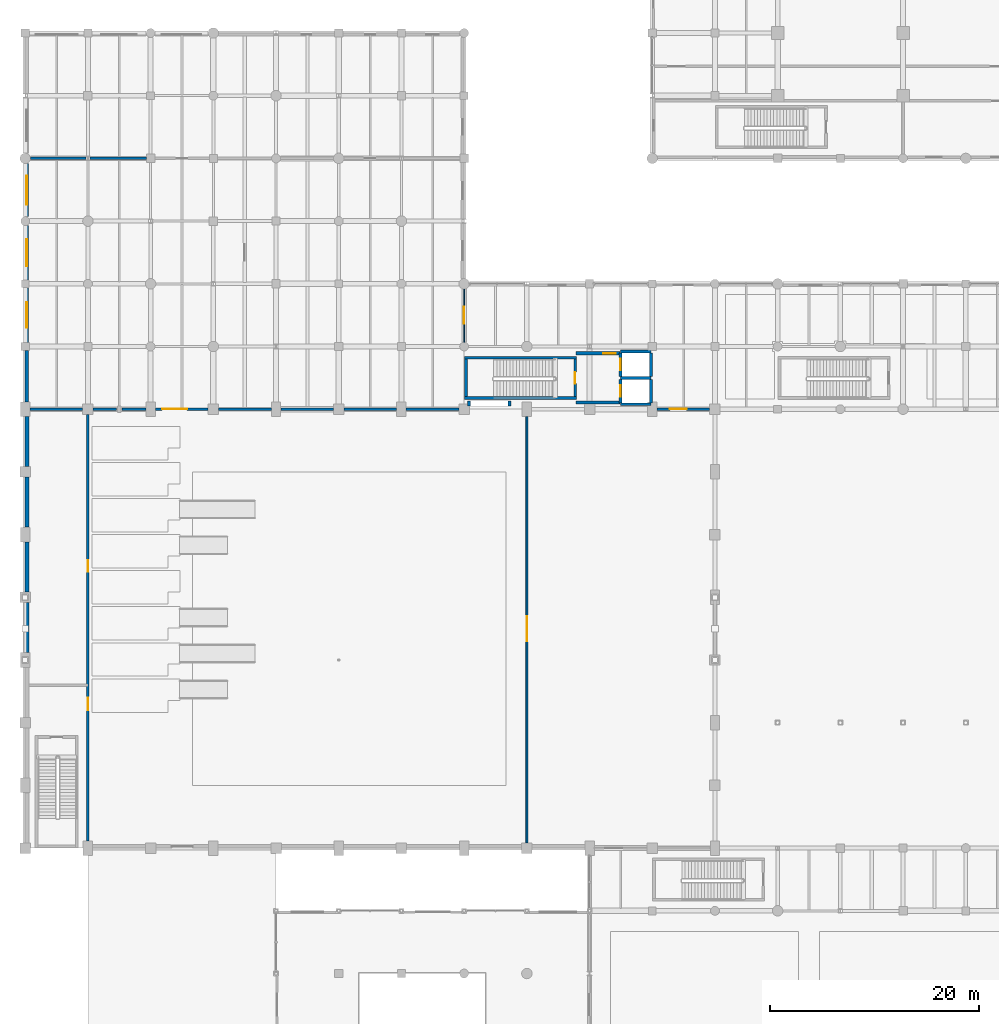
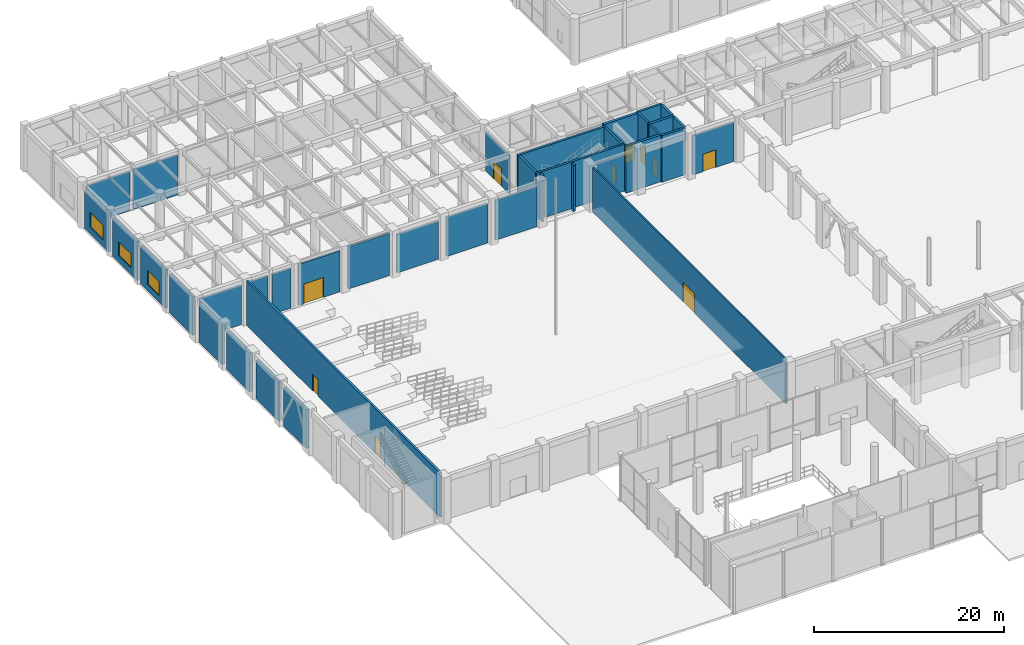
# One storey, part 81 of 106: 37 walls, 10 doors, 3 windows, 13 openings.
"""IFC4 building model written with IfcOpenShell, lengths in metres."""

from ifc_helpers import new_model, si_unit, direction, frame, frame_2d, origin, place, context, subcontext, project, spatial, rectangle, extrude, material, layer, layer_set, type_object, element, fill, save


model = new_model("IFC4")

# Units and contexts
model_context = context("Model", 3, precision=1e-05, world=origin(), true_north=direction((0.0, 1.0)))
body_context = subcontext(model_context, "Body", "Model", "MODEL_VIEW")
ifc_project = project(units=[si_unit("LENGTHUNIT", "METRE"), si_unit("AREAUNIT", "SQUARE_METRE"), si_unit("VOLUMEUNIT", "CUBIC_METRE"), si_unit("PLANEANGLEUNIT", "RADIAN"), si_unit("MASSUNIT", "GRAM", prefix="KILO"), si_unit("THERMODYNAMICTEMPERATUREUNIT", "KELVIN"), si_unit("POWERUNIT", "WATT")], contexts=[model_context])

# Site, building, storey
site_placement = place(None, origin())
site = spatial("IfcSite", under=ifc_project, at=site_placement, CompositionType="ELEMENT")
building_placement = place(site_placement, origin())
building = spatial("IfcBuilding", under=site, at=building_placement, Name="Phaisarnlok Congress Hotel", CompositionType="ELEMENT")
storey_placement = place(building_placement, origin())
storey = spatial("IfcBuildingStorey", under=building, at=storey_placement, Name="L00", CompositionType="ELEMENT", Elevation=0.0)

# Wall, opening, window
ifc_material_1 = material(Name="Concrete C40/50", Category="concrete")
ifc_layer_1 = layer(ifc_material_1, 0.2900390625, Name="Concrete C40/50")
ifc_layer_set_1 = layer_set([ifc_layer_1], Name="Concrete C40/50")
wall_type_1 = type_object("IfcWallType", Name="WL-EXT-290", PredefinedType="SOLIDWALL", material=ifc_layer_set_1)
wall_1_placement = place(storey_placement, frame((0.14501953125, 107.4951171875, 0.0), z_axis=(0.0, 0.0, 1.0), x_axis=(0.0, -1.0, 0.0)))
wall_1 = element("IfcWall", 1, at=wall_1_placement, inside=storey, type_object=wall_type_1, Name="Exterior wall EW-03 (L00)", PredefinedType="SOLIDWALL", context=body_context, shape_type="SweptSolid", body=[
    extrude(rectangle(XDim=5.065185546875, YDim=0.2900390625, at=frame_2d((2.53271484375, 0.0))), origin(), (0.0, 0.0, 1.0), 4.989990234375),
])
opening_1_placement = place(wall_1_placement, frame((1.132080078125, 0.0, 0.85009765625)))
opening_1 = element("IfcOpeningElement", 2, at=opening_1_placement, cuts=wall_1, Name="Opening W-06", PredefinedType="OPENING", context=body_context, shape_type="SweptSolid", body=[
    extrude(rectangle(XDim=2.800048828125, YDim=1.89990234375, at=frame_2d((1.39990234375, 0.949951171875))), frame((0.0, 0.155029296875, 0.0), z_axis=(0.0, -1.0, 0.0), x_axis=(1.0, 0.0, 0.0)), (0.0, 0.0, 1.0), 0.31005859375),
])
ifc_material_2 = material(Name="Thermally Broken Aluminium & Low-E Double Glazing", Category="aluminium")
window_type_1 = type_object("IfcWindowType", Name="WIN-POD-2800", PartitioningType="SINGLE_PANEL", PredefinedType="WINDOW", material=ifc_material_2)
window_1_placement = place(opening_1_placement, origin())
window_1 = element("IfcWindow", 3, at=window_1_placement, inside=storey, type_object=window_type_1, Name="Podium window W-06 (L00)", OverallHeight=1.89990234375, OverallWidth=2.800048828125, PartitioningType="SINGLE_PANEL", PredefinedType="WINDOW", context=body_context, shape_type="SweptSolid", body=[
    extrude(rectangle(XDim=2.800048828125, YDim=1.89990234375, at=frame_2d((1.39990234375, 0.949951171875))), frame((0.0, 0.030029296875, 0.0), z_axis=(0.0, -1.0, 0.0), x_axis=(1.0, 0.0, 0.0)), (0.0, 0.0, 1.0), 0.06005859375),
])
fill(opening_1, window_1)

wall_2_placement = place(storey_placement, frame((0.14501953125, 101.570068359375, 0.0), z_axis=(0.0, 0.0, 1.0), x_axis=(0.0, -1.0, 0.0)))
wall_2 = element("IfcWall", 4, at=wall_2_placement, inside=storey, type_object=wall_type_1, Name="Exterior wall EW-03 (L00)", PredefinedType="SOLIDWALL", context=body_context, shape_type="SweptSolid", body=[
    extrude(rectangle(XDim=5.190185546875, YDim=0.2900390625, at=frame_2d((2.59521484375, 0.0))), origin(), (0.0, 0.0, 1.0), 4.989990234375),
])
opening_2_placement = place(wall_2_placement, frame((1.294921875, 0.0, 0.85009765625)))
opening_2 = element("IfcOpeningElement", 5, at=opening_2_placement, cuts=wall_2, Name="Opening W-07", PredefinedType="OPENING", context=body_context, shape_type="SweptSolid", body=[
    extrude(rectangle(XDim=2.60009765625, YDim=1.800048828125, at=frame_2d((1.300048828125, 0.89990234375))), frame((0.0, 0.155029296875, 0.0), z_axis=(0.0, -1.0, 0.0), x_axis=(1.0, 0.0, 0.0)), (0.0, 0.0, 1.0), 0.31005859375),
])
window_type_2 = type_object("IfcWindowType", Name="WIN-POD-2600", PartitioningType="SINGLE_PANEL", PredefinedType="WINDOW", material=ifc_material_2)
window_2_placement = place(opening_2_placement, origin())
window_2 = element("IfcWindow", 6, at=window_2_placement, inside=storey, type_object=window_type_2, Name="Podium window W-07 (L00)", OverallHeight=1.800048828125, OverallWidth=2.60009765625, PartitioningType="SINGLE_PANEL", PredefinedType="WINDOW", context=body_context, shape_type="SweptSolid", body=[
    extrude(rectangle(XDim=2.60009765625, YDim=1.800048828125, at=frame_2d((1.300048828125, 0.89990234375))), frame((0.0, 0.030029296875, 0.0), z_axis=(0.0, -1.0, 0.0), x_axis=(1.0, 0.0, 0.0)), (0.0, 0.0, 1.0), 0.06005859375),
])
fill(opening_2, window_2)

wall_3_placement = place(storey_placement, frame((0.14501953125, 95.6201171875, 0.0), z_axis=(0.0, 0.0, 1.0), x_axis=(0.0, -1.0, 0.0)))
wall_3 = element("IfcWall", 7, at=wall_3_placement, inside=storey, type_object=wall_type_1, Name="Exterior wall EW-03 (L00)", PredefinedType="SOLIDWALL", context=body_context, shape_type="SweptSolid", body=[
    extrude(rectangle(XDim=5.215087890625, YDim=0.2900390625, at=frame_2d((2.607421875, 0.0))), origin(), (0.0, 0.0, 1.0), 4.989990234375),
])
opening_3_placement = place(wall_3_placement, frame((1.407958984375, 0.0, 0.85009765625)))
opening_3 = element("IfcOpeningElement", 8, at=opening_3_placement, cuts=wall_3, Name="Opening W-08", PredefinedType="OPENING", context=body_context, shape_type="SweptSolid", body=[
    extrude(rectangle(XDim=2.39990234375, YDim=1.800048828125, at=frame_2d((1.199951171875, 0.89990234375))), frame((0.0, 0.155029296875, 0.0), z_axis=(0.0, -1.0, 0.0), x_axis=(1.0, 0.0, 0.0)), (0.0, 0.0, 1.0), 0.31005859375),
])
window_type_3 = type_object("IfcWindowType", Name="WIN-POD-2400", PartitioningType="SINGLE_PANEL", PredefinedType="WINDOW", material=ifc_material_2)
window_3_placement = place(opening_3_placement, origin())
window_3 = element("IfcWindow", 9, at=window_3_placement, inside=storey, type_object=window_type_3, Name="Podium window W-08 (L00)", OverallHeight=1.800048828125, OverallWidth=2.39990234375, PartitioningType="SINGLE_PANEL", PredefinedType="WINDOW", context=body_context, shape_type="SweptSolid", body=[
    extrude(rectangle(XDim=2.39990234375, YDim=1.800048828125, at=frame_2d((1.199951171875, 0.89990234375))), frame((0.0, 0.030029296875, 0.0), z_axis=(0.0, -1.0, 0.0), x_axis=(1.0, 0.0, 0.0)), (0.0, 0.0, 1.0), 0.06005859375),
])
fill(opening_3, window_3)

# Walls
wall_4_placement = place(storey_placement, frame((0.14501953125, 89.594970703125, 0.0), z_axis=(0.0, 0.0, 1.0), x_axis=(0.0, -1.0, 0.0)))
element("IfcWall", 10, at=wall_4_placement, inside=storey, type_object=wall_type_1, Name="Exterior wall EW-03 (L00)", PredefinedType="SOLIDWALL", context=body_context, shape_type="SweptSolid", body=[
    extrude(rectangle(XDim=4.889892578125, YDim=0.2900390625, at=frame_2d((2.44482421875, 0.0))), origin(), (0.0, 0.0, 1.0), 4.989990234375),
])
ifc_layer_2 = layer(ifc_material_1, 0.360107421875, Name="Concrete C40/50")
ifc_layer_set_2 = layer_set([ifc_layer_2], Name="Concrete C40/50")
wall_type_2 = type_object("IfcWallType", Name="WL-EXT-360", PredefinedType="SOLIDWALL", material=ifc_layer_set_2)
for number, where, z_axis, x_axis, name in (
    (11, (0.179931640625, 83.294921875, 0.0), (0.0, 0.0, 1.0), (0.0, -1.0, 0.0), "Exterior wall EW-01 (L00)"),
    (12, (0.179931640625, 77.4951171875, 0.0), (0.0, 0.0, 1.0), (0.0, -1.0, 0.0), "Exterior wall EW-01 (L00)"),
    (13, (0.179931640625, 71.294921875, 0.0), (0.0, 0.0, 1.0), (0.0, -1.0, 0.0), "Exterior wall EW-01 (L00)"),
    (14, (0.179931640625, 65.4951171875, 0.0), (0.0, 0.0, 1.0), (0.0, -1.0, 0.0), "Exterior wall EW-01 (L00)"),
):
    element("IfcWall", number, at=place(storey_placement, frame(where, z_axis=z_axis, x_axis=x_axis)), inside=storey, type_object=wall_type_2, Name=name, PredefinedType="SOLIDWALL", context=body_context, shape_type="SweptSolid", body=[
        extrude(rectangle(XDim=4.7900390625, YDim=0.360107421875, at=frame_2d((2.39501953125, 0.0))), origin(), (0.0, 0.0, 1.0), 4.989990234375),
    ])

# Wall, opening, door
ifc_material_3 = material(Name="Service Riser Shaftwall Partition", Category="gypsum")
ifc_layer_3 = layer(ifc_material_3, 0.10498046875, Name="Service Riser Shaftwall Partition")
ifc_layer_set_3 = layer_set([ifc_layer_3], Name="Service Riser Shaftwall Partition")
wall_type_3 = type_object("IfcWallType", Name="WL-INT-105", PredefinedType="PARTITIONING", material=ifc_layer_set_3)
wall_5_placement = place(storey_placement, frame((42.0, 90.429931640625, 0.0), z_axis=(0.0, 0.0, 1.0), x_axis=(0.0, 1.0, 0.0)))
wall_5 = element("IfcWall", 15, at=wall_5_placement, inside=storey, type_object=wall_type_3, Name="Interior partition wall IW-08 (L00)", PredefinedType="PARTITIONING", context=body_context, shape_type="SweptSolid", body=[
    extrude(rectangle(XDim=5.065185546875, YDim=0.10498046875, at=frame_2d((2.53271484375, 0.0))), origin(), (0.0, 0.0, 1.0), 5.0400390625),
])
opening_4_placement = place(wall_5_placement, frame((1.77001953125, 0.0, 0.0)))
opening_4 = element("IfcOpeningElement", 16, at=opening_4_placement, cuts=wall_5, Name="Opening D-0033", PredefinedType="OPENING", context=body_context, shape_type="SweptSolid", body=[
    extrude(rectangle(XDim=1.60009765625, YDim=2.25, at=frame_2d((0.800048828125, 1.125))), frame((0.0, 0.0625, 0.0), z_axis=(0.0, -1.0, 0.0), x_axis=(1.0, 0.0, 0.0)), (0.0, 0.0, 1.0), 0.125),
])
ifc_material_4 = material(Name="Frameless Tempered Acoustic Glass", Category="glass")
door_type_1 = type_object("IfcDoorType", Name="DR-GLZ-1600", OperationType="DOUBLE_DOOR_SINGLE_SWING", PredefinedType="DOOR", material=ifc_material_4)
door_1_placement = place(opening_4_placement, origin())
door_1 = element("IfcDoor", 17, at=door_1_placement, inside=storey, type_object=door_type_1, Name="Interior door D-0033 (L00)", OperationType="DOUBLE_DOOR_SINGLE_SWING", OverallHeight=2.25, OverallWidth=1.60009765625, PredefinedType="DOOR", context=body_context, shape_type="SweptSolid", body=[
    extrude(rectangle(XDim=1.60009765625, YDim=2.25, at=frame_2d((0.800048828125, 1.125))), frame((0.0, 0.02490234375, 0.0), z_axis=(0.0, -1.0, 0.0), x_axis=(1.0, 0.0, 0.0)), (0.0, 0.0, 1.0), 0.050048828125),
])
fill(opening_4, door_1)

ifc_material_5 = material(Name="Autoclaved Aerated Concrete Block", Category="concrete")
ifc_layer_4 = layer(ifc_material_5, 0.179931640625, Name="Autoclaved Aerated Concrete Block")
ifc_layer_set_4 = layer_set([ifc_layer_4], Name="Autoclaved Aerated Concrete Block")
wall_type_4 = type_object("IfcWallType", Name="WL-INT-180", PredefinedType="PARTITIONING", material=ifc_layer_set_4)
wall_6_placement = place(storey_placement, frame((48.0, 42.5048828125, 0.0), z_axis=(0.0, 0.0, 1.0), x_axis=(0.0, 1.0, 0.0)))
wall_6 = element("IfcWall", 18, at=wall_6_placement, inside=storey, type_object=wall_type_4, Name="Interior partition wall IW-03 (L00)", PredefinedType="PARTITIONING", context=body_context, shape_type="SweptSolid", body=[
    extrude(rectangle(XDim=40.7900390625, YDim=0.179931640625, at=frame_2d((20.39501953125, 0.0))), origin(), (0.0, 0.0, 1.0), 5.739990234375),
])
opening_5_placement = place(wall_6_placement, frame((19.294921875, 0.0, 0.0)))
opening_5 = element("IfcOpeningElement", 19, at=opening_5_placement, cuts=wall_6, Name="Opening D-0030", PredefinedType="OPENING", context=body_context, shape_type="SweptSolid", body=[
    extrude(rectangle(XDim=2.39990234375, YDim=2.550048828125, at=frame_2d((1.199951171875, 1.27490234375))), frame((0.0, 0.10009765625, 0.0), z_axis=(0.0, -1.0, 0.0), x_axis=(1.0, 0.0, 0.0)), (0.0, 0.0, 1.0), 0.199951171875),
])
ifc_material_6 = material(Name="Acoustic Ballroom Double Door", Category="wood")
door_type_2 = type_object("IfcDoorType", Name="DR-HALL-2400", OperationType="DOUBLE_DOOR_SINGLE_SWING", PredefinedType="DOOR", material=ifc_material_6)
door_2_placement = place(opening_5_placement, origin())
door_2 = element("IfcDoor", 20, at=door_2_placement, inside=storey, type_object=door_type_2, Name="Interior door D-0030 (L00)", OperationType="DOUBLE_DOOR_SINGLE_SWING", OverallHeight=2.550048828125, OverallWidth=2.39990234375, PredefinedType="DOOR", context=body_context, shape_type="SweptSolid", body=[
    extrude(rectangle(XDim=2.39990234375, YDim=2.550048828125, at=frame_2d((1.199951171875, 1.27490234375))), frame((0.0, 0.02490234375, 0.0), z_axis=(0.0, -1.0, 0.0), x_axis=(1.0, 0.0, 0.0)), (0.0, 0.0, 1.0), 0.050048828125),
])
fill(opening_5, door_2)

# Wall, openings, doors
ifc_layer_5 = layer(ifc_material_1, 0.239990234375, Name="Concrete C40/50")
ifc_layer_set_5 = layer_set([ifc_layer_5], Name="Concrete C40/50")
wall_type_5 = type_object("IfcWallType", Name="WL-INT-240", PredefinedType="PARTITIONING", material=ifc_layer_set_5)
wall_7_placement = place(storey_placement, frame((6.0, 42.705078125, 0.0), z_axis=(0.0, 0.0, 1.0), x_axis=(0.0, 1.0, 0.0)))
wall_7 = element("IfcWall", 21, at=wall_7_placement, inside=storey, type_object=wall_type_5, Name="Interior partition wall IW-01 (L00)", PredefinedType="PARTITIONING", context=body_context, shape_type="SweptSolid", body=[
    extrude(rectangle(XDim=40.7900390625, YDim=0.239990234375, at=frame_2d((20.39501953125, 0.0))), origin(), (0.0, 0.0, 1.0), 5.739990234375),
])
opening_6_placement = place(wall_7_placement, frame((12.4951171875, 0.0, 0.0)))
opening_6 = element("IfcOpeningElement", 22, at=opening_6_placement, cuts=wall_7, Name="Opening D-0028", PredefinedType="OPENING", context=body_context, shape_type="SweptSolid", body=[
    extrude(rectangle(XDim=1.199951171875, YDim=2.199951171875, at=frame_2d((0.60009765625, 1.10009765625))), frame((0.0, 0.1298828125, 0.0), z_axis=(0.0, -1.0, 0.0), x_axis=(1.0, 0.0, 0.0)), (0.0, 0.0, 1.0), 0.260009765625),
])
opening_7_placement = place(wall_7_placement, frame((25.7451171875, 0.0, 0.0)))
opening_7 = element("IfcOpeningElement", 23, at=opening_7_placement, cuts=wall_7, Name="Opening D-0031", PredefinedType="OPENING", context=body_context, shape_type="SweptSolid", body=[
    extrude(rectangle(XDim=1.10009765625, YDim=2.14990234375, at=frame_2d((0.550048828125, 1.074951171875))), frame((0.0, 0.1298828125, 0.0), z_axis=(0.0, -1.0, 0.0), x_axis=(1.0, 0.0, 0.0)), (0.0, 0.0, 1.0), 0.260009765625),
])
ifc_material_7 = material(Name="Fire-Rated Steel Frame & Timber Leaf", Category="steel")
door_type_3 = type_object("IfcDoorType", Name="DR-FD60-1100", OperationType="NOTDEFINED", PredefinedType="DOOR", material=ifc_material_7)
door_3_placement = place(opening_7_placement, origin())
door_3 = element("IfcDoor", 24, at=door_3_placement, inside=storey, type_object=door_type_3, Name="Interior door D-0031 (L00)", OperationType="SINGLE_SWING_LEFT", OverallHeight=2.14990234375, OverallWidth=1.10009765625, PredefinedType="DOOR", context=body_context, shape_type="SweptSolid", body=[
    extrude(rectangle(XDim=1.10009765625, YDim=2.14990234375, at=frame_2d((0.550048828125, 1.074951171875))), frame((0.0, 0.02490234375, 0.0), z_axis=(0.0, -1.0, 0.0), x_axis=(1.0, 0.0, 0.0)), (0.0, 0.0, 1.0), 0.050048828125),
])
fill(opening_7, door_3)
door_type_4 = type_object("IfcDoorType", Name="DR-FD60-1200", OperationType="NOTDEFINED", PredefinedType="DOOR", material=ifc_material_7)
door_4_placement = place(opening_6_placement, origin())
door_4 = element("IfcDoor", 25, at=door_4_placement, inside=storey, type_object=door_type_4, Name="Interior door D-0028 (L00)", OperationType="SINGLE_SWING_LEFT", OverallHeight=2.199951171875, OverallWidth=1.199951171875, PredefinedType="DOOR", context=body_context, shape_type="SweptSolid", body=[
    extrude(rectangle(XDim=1.199951171875, YDim=2.199951171875, at=frame_2d((0.60009765625, 1.10009765625))), frame((0.0, 0.02490234375, 0.0), z_axis=(0.0, -1.0, 0.0), x_axis=(1.0, 0.0, 0.0)), (0.0, 0.0, 1.0), 0.050048828125),
])
fill(opening_6, door_4)

# Walls
wall_8_placement = place(storey_placement, frame((0.455078125, 84.0, 0.0), z_axis=(0.0, 0.0, 1.0), x_axis=(1.0, 0.0, 0.0)))
element("IfcWall", 26, at=wall_8_placement, inside=storey, type_object=wall_type_5, Name="Interior partition wall IW-01 (L00)", PredefinedType="PARTITIONING", context=body_context, shape_type="SweptSolid", body=[
    extrude(rectangle(XDim=5.0400390625, YDim=0.239990234375, at=frame_2d((2.52001953125, 0.0))), origin(), (0.0, 0.0, 1.0), 5.0400390625),
])
wall_9_placement = place(storey_placement, frame((6.5048828125, 84.0, 0.0), z_axis=(0.0, 0.0, 1.0), x_axis=(1.0, 0.0, 0.0)))
element("IfcWall", 27, at=wall_9_placement, inside=storey, type_object=wall_type_5, Name="Interior partition wall IW-01 (L00)", PredefinedType="PARTITIONING", context=body_context, shape_type="SweptSolid", body=[
    extrude(rectangle(XDim=2.240234375, YDim=0.239990234375, at=frame_2d((1.1201171875, 0.0))), origin(), (0.0, 0.0, 1.0), 5.139892578125),
])
wall_10_placement = place(storey_placement, frame((9.2548828125, 84.0, 0.0), z_axis=(0.0, 0.0, 1.0), x_axis=(1.0, 0.0, 0.0)))
element("IfcWall", 28, at=wall_10_placement, inside=storey, type_object=wall_type_5, Name="Interior partition wall IW-01 (L00)", PredefinedType="PARTITIONING", context=body_context, shape_type="SweptSolid", body=[
    extrude(rectangle(XDim=2.2900390625, YDim=0.239990234375, at=frame_2d((1.14501953125, 0.0))), origin(), (0.0, 0.0, 1.0), 5.139892578125),
])

# Wall, opening, door
wall_11_placement = place(storey_placement, frame((12.455078125, 84.0, 0.0), z_axis=(0.0, 0.0, 1.0), x_axis=(1.0, 0.0, 0.0)))
wall_11 = element("IfcWall", 29, at=wall_11_placement, inside=storey, type_object=wall_type_5, Name="Interior partition wall IW-01 (L00)", PredefinedType="PARTITIONING", context=body_context, shape_type="SweptSolid", body=[
    extrude(rectangle(XDim=5.0400390625, YDim=0.239990234375, at=frame_2d((2.52001953125, 0.0))), origin(), (0.0, 0.0, 1.0), 5.2900390625),
])
opening_8_placement = place(wall_11_placement, frame((0.64501953125, 0.0, 0.0)))
opening_8 = element("IfcOpeningElement", 30, at=opening_8_placement, cuts=wall_11, Name="Opening D-0049", PredefinedType="OPENING", context=body_context, shape_type="SweptSolid", body=[
    extrude(rectangle(XDim=2.39990234375, YDim=2.550048828125, at=frame_2d((1.199951171875, 1.27490234375))), frame((0.0, 0.1298828125, 0.0), z_axis=(0.0, -1.0, 0.0), x_axis=(1.0, 0.0, 0.0)), (0.0, 0.0, 1.0), 0.260009765625),
])
door_5_placement = place(opening_8_placement, origin())
door_5 = element("IfcDoor", 31, at=door_5_placement, inside=storey, type_object=door_type_2, Name="Interior door D-0049 (L00)", OperationType="DOUBLE_DOOR_SINGLE_SWING", OverallHeight=2.550048828125, OverallWidth=2.39990234375, PredefinedType="DOOR", context=body_context, shape_type="SweptSolid", body=[
    extrude(rectangle(XDim=2.39990234375, YDim=2.550048828125, at=frame_2d((1.199951171875, 1.27490234375))), frame((0.0, 0.02490234375, 0.0), z_axis=(0.0, -1.0, 0.0), x_axis=(1.0, 0.0, 0.0)), (0.0, 0.0, 1.0), 0.050048828125),
])
fill(opening_8, door_5)

# Walls
wall_12_placement = place(storey_placement, frame((18.5048828125, 84.0, 0.0), z_axis=(0.0, 0.0, 1.0), x_axis=(1.0, 0.0, 0.0)))
element("IfcWall", 32, at=wall_12_placement, inside=storey, type_object=wall_type_5, Name="Interior partition wall IW-01 (L00)", PredefinedType="PARTITIONING", context=body_context, shape_type="SweptSolid", body=[
    extrude(rectangle(XDim=5.0400390625, YDim=0.239990234375, at=frame_2d((2.52001953125, 0.0))), origin(), (0.0, 0.0, 1.0), 5.449951171875),
])
wall_13_placement = place(storey_placement, frame((24.455078125, 84.0, 0.0), z_axis=(0.0, 0.0, 1.0), x_axis=(1.0, 0.0, 0.0)))
element("IfcWall", 33, at=wall_13_placement, inside=storey, type_object=wall_type_5, Name="Interior partition wall IW-01 (L00)", PredefinedType="PARTITIONING", context=body_context, shape_type="SweptSolid", body=[
    extrude(rectangle(XDim=5.0400390625, YDim=0.239990234375, at=frame_2d((2.52001953125, 0.0))), origin(), (0.0, 0.0, 1.0), 4.93994140625),
])
wall_14_placement = place(storey_placement, frame((30.5048828125, 84.0, 0.0), z_axis=(0.0, 0.0, 1.0), x_axis=(1.0, 0.0, 0.0)))
element("IfcWall", 34, at=wall_14_placement, inside=storey, type_object=wall_type_5, Name="Interior partition wall IW-01 (L00)", PredefinedType="PARTITIONING", context=body_context, shape_type="SweptSolid", body=[
    extrude(rectangle(XDim=5.0400390625, YDim=0.239990234375, at=frame_2d((2.52001953125, 0.0))), origin(), (0.0, 0.0, 1.0), 5.0400390625),
])
wall_15_placement = place(storey_placement, frame((36.455078125, 84.0, 0.0), z_axis=(0.0, 0.0, 1.0), x_axis=(1.0, 0.0, 0.0)))
element("IfcWall", 35, at=wall_15_placement, inside=storey, type_object=wall_type_5, Name="Interior partition wall IW-01 (L00)", PredefinedType="PARTITIONING", context=body_context, shape_type="SweptSolid", body=[
    extrude(rectangle(XDim=5.0400390625, YDim=0.239990234375, at=frame_2d((2.52001953125, 0.0))), origin(), (0.0, 0.0, 1.0), 5.139892578125),
])

# Wall, opening, door
wall_16_placement = place(storey_placement, frame((60.455078125, 84.0, 0.0), z_axis=(0.0, 0.0, 1.0), x_axis=(1.0, 0.0, 0.0)))
wall_16 = element("IfcWall", 36, at=wall_16_placement, inside=storey, type_object=wall_type_5, Name="Interior partition wall IW-01 (L00)", PredefinedType="PARTITIONING", context=body_context, shape_type="SweptSolid", body=[
    extrude(rectangle(XDim=5.0400390625, YDim=0.239990234375, at=frame_2d((2.52001953125, 0.0))), origin(), (0.0, 0.0, 1.0), 5.0400390625),
])
opening_9_placement = place(wall_16_placement, frame((1.22509765625, 0.0, 0.0)))
opening_9 = element("IfcOpeningElement", 37, at=opening_9_placement, cuts=wall_16, Name="Opening D-0052", PredefinedType="OPENING", context=body_context, shape_type="SweptSolid", body=[
    extrude(rectangle(XDim=1.60009765625, YDim=2.25, at=frame_2d((0.800048828125, 1.125))), frame((0.0, 0.1298828125, 0.0), z_axis=(0.0, -1.0, 0.0), x_axis=(1.0, 0.0, 0.0)), (0.0, 0.0, 1.0), 0.260009765625),
])
door_6_placement = place(opening_9_placement, origin())
door_6 = element("IfcDoor", 38, at=door_6_placement, inside=storey, type_object=door_type_1, Name="Interior door D-0052 (L00)", OperationType="DOUBLE_DOOR_SINGLE_SWING", OverallHeight=2.25, OverallWidth=1.60009765625, PredefinedType="DOOR", context=body_context, shape_type="SweptSolid", body=[
    extrude(rectangle(XDim=1.60009765625, YDim=2.25, at=frame_2d((0.800048828125, 1.125))), frame((0.0, 0.02490234375, 0.0), z_axis=(0.0, -1.0, 0.0), x_axis=(1.0, 0.0, 0.0)), (0.0, 0.0, 1.0), 0.050048828125),
])
fill(opening_9, door_6)

# Walls
wall_17_placement = place(storey_placement, frame((0.5048828125, 108.0, 0.0), z_axis=(0.0, 0.0, 1.0), x_axis=(1.0, 0.0, 0.0)))
element("IfcWall", 39, at=wall_17_placement, inside=storey, type_object=wall_type_5, Name="Interior partition wall IW-01 (L00)", PredefinedType="PARTITIONING", context=body_context, shape_type="SweptSolid", body=[
    extrude(rectangle(XDim=5.28955078125, YDim=0.239990234375, at=frame_2d((2.644775390625, 0.0))), origin(), (0.0, 0.0, 1.0), 5.0400390625),
])
wall_18_placement = place(storey_placement, frame((6.20556640625, 108.0, 0.0), z_axis=(0.0, 0.0, 1.0), x_axis=(1.0, 0.0, 0.0)))
element("IfcWall", 40, at=wall_18_placement, inside=storey, type_object=wall_type_5, Name="Interior partition wall IW-01 (L00)", PredefinedType="PARTITIONING", context=body_context, shape_type="SweptSolid", body=[
    extrude(rectangle(XDim=5.389404296875, YDim=0.239990234375, at=frame_2d((2.69482421875, 0.0))), origin(), (0.0, 0.0, 1.0), 5.139892578125),
])
ifc_material_8 = material(Name="Concrete C50/60", Category="concrete")
ifc_layer_6 = layer(ifc_material_8, 0.260009765625, Name="Concrete C50/60")
ifc_layer_set_6 = layer_set([ifc_layer_6], Name="Concrete C50/60")
wall_type_6 = type_object("IfcWallType", Name="WL-SHR-260", PredefinedType="SHEAR", material=ifc_layer_set_6)
for number, where, z_axis, x_axis, name in (
    (41, (42.0400390625, 85.070068359375, 0.0), (0.0, 0.0, 1.0), (1.0, 0.0, 0.0), "Stair shaft shear wall SW-04 (CORE-5 L00)"),
    (42, (42.0400390625, 88.929931640625, 0.0), (0.0, 0.0, 1.0), (1.0, 0.0, 0.0), "Stair shaft shear wall SW-04 (CORE-5 L00)"),
):
    element("IfcWall", number, at=place(storey_placement, frame(where, z_axis=z_axis, x_axis=x_axis)), inside=storey, type_object=wall_type_6, Name=name, PredefinedType="SHEAR", context=body_context, shape_type="SweptSolid", body=[
        extrude(rectangle(XDim=10.719970703125, YDim=0.260009765625, at=frame_2d((5.35986328125, 0.0))), origin(), (0.0, 0.0, 1.0), 6.0),
    ])
wall_19_placement = place(storey_placement, frame((42.169921875, 85.199951171875, 0.0), z_axis=(0.0, 0.0, 1.0), x_axis=(0.0, 1.0, 0.0)))
element("IfcWall", 43, at=wall_19_placement, inside=storey, type_object=wall_type_6, Name="Stair shaft shear wall SW-04 (CORE-5 L00)", PredefinedType="SHEAR", context=body_context, shape_type="SweptSolid", body=[
    extrude(rectangle(XDim=3.60009765625, YDim=0.260009765625, at=frame_2d((1.800048828125, 0.0))), origin(), (0.0, 0.0, 1.0), 6.0),
])

# Wall, opening, door
wall_20_placement = place(storey_placement, frame((52.6298828125, 85.199951171875, 0.0), z_axis=(0.0, 0.0, 1.0), x_axis=(0.0, 1.0, 0.0)))
wall_20 = element("IfcWall", 44, at=wall_20_placement, inside=storey, type_object=wall_type_6, Name="Stair shaft shear wall SW-04 (CORE-5 L00)", PredefinedType="SHEAR", context=body_context, shape_type="SweptSolid", body=[
    extrude(rectangle(XDim=3.60009765625, YDim=0.260009765625, at=frame_2d((1.800048828125, 0.0))), origin(), (0.0, 0.0, 1.0), 6.0),
])
opening_10_placement = place(wall_20_placement, frame((1.25, 0.0, 0.0)))
opening_10 = element("IfcOpeningElement", 45, at=opening_10_placement, cuts=wall_20, Name="Opening FD-122", PredefinedType="OPENING", context=body_context, shape_type="SweptSolid", body=[
    extrude(rectangle(XDim=1.10009765625, YDim=2.14990234375, at=frame_2d((0.550048828125, 1.074951171875))), frame((0.0, 0.14013671875, 0.0), z_axis=(0.0, -1.0, 0.0), x_axis=(1.0, 0.0, 0.0)), (0.0, 0.0, 1.0), 0.280029296875),
])
door_7_placement = place(opening_10_placement, origin())
door_7 = element("IfcDoor", 46, at=door_7_placement, inside=storey, type_object=door_type_3, Name="Stair enclosure fire door FD-122 (L00)", OperationType="SINGLE_SWING_LEFT", OverallHeight=2.14990234375, OverallWidth=1.10009765625, PredefinedType="DOOR", context=body_context, shape_type="SweptSolid", body=[
    extrude(rectangle(XDim=1.10009765625, YDim=2.14990234375, at=frame_2d((0.550048828125, 1.074951171875))), frame((0.0, 0.02490234375, 0.0), z_axis=(0.0, -1.0, 0.0), x_axis=(1.0, 0.0, 0.0)), (0.0, 0.0, 1.0), 0.050048828125),
])
fill(opening_10, door_7)

# Walls
wall_21_placement = place(storey_placement, frame((56.969970703125, 84.469970703125, 0.0), z_axis=(0.0, 0.0, 1.0), x_axis=(1.0, 0.0, 0.0)))
element("IfcWall", 47, at=wall_21_placement, inside=storey, type_object=wall_type_6, Name="Lift shaft shear wall SW-04 (LF-CP1 L00)", PredefinedType="SHEAR", context=body_context, shape_type="SweptSolid", body=[
    extrude(rectangle(XDim=2.909912109375, YDim=0.260009765625, at=frame_2d((1.455078125, 0.0))), origin(), (0.0, 0.0, 1.0), 6.0),
])
wall_22_placement = place(storey_placement, frame((59.8798828125, 84.60009765625, 0.0), z_axis=(0.0, 0.0, 1.0), x_axis=(0.0, 1.0, 0.0)))
element("IfcWall", 48, at=wall_22_placement, inside=storey, type_object=wall_type_6, Name="Lift shaft shear wall SW-04 (LF-CP1 L00)", PredefinedType="SHEAR", context=body_context, shape_type="SweptSolid", body=[
    extrude(rectangle(XDim=2.25, YDim=0.260009765625, at=frame_2d((1.125, 0.0))), origin(), (0.0, 0.0, 1.0), 6.0),
])

# Wall, opening, door
wall_23_placement = place(storey_placement, frame((56.969970703125, 84.60009765625, 0.0), z_axis=(0.0, 0.0, 1.0), x_axis=(0.0, 1.0, 0.0)))
wall_23 = element("IfcWall", 49, at=wall_23_placement, inside=storey, type_object=wall_type_6, Name="Lift shaft front wall SW-04 (LF-CP1 L00)", PredefinedType="SHEAR", context=body_context, shape_type="SweptSolid", body=[
    extrude(rectangle(XDim=2.25, YDim=0.260009765625, at=frame_2d((1.125, 0.0))), origin(), (0.0, 0.0, 1.0), 6.0),
])
opening_11_placement = place(wall_23_placement, frame((0.574951171875, 0.0, 0.0)))
opening_11 = element("IfcOpeningElement", 50, at=opening_11_placement, cuts=wall_23, Name="Opening LD-107", PredefinedType="OPENING", context=body_context, shape_type="SweptSolid", body=[
    extrude(rectangle(XDim=1.10009765625, YDim=2.199951171875, at=frame_2d((0.550048828125, 1.10009765625))), frame((0.0, 0.14013671875, 0.0), z_axis=(0.0, -1.0, 0.0), x_axis=(1.0, 0.0, 0.0)), (0.0, 0.0, 1.0), 0.280029296875),
])
ifc_material_9 = material(Name="Brushed Stainless Steel Grade 304", Category="steel")
door_type_5 = type_object("IfcDoorType", Name="DR-LD-1100", OperationType="DOUBLE_DOOR_SLIDING", PredefinedType="DOOR", material=ifc_material_9)
door_8_placement = place(opening_11_placement, origin())
door_8 = element("IfcDoor", 51, at=door_8_placement, inside=storey, type_object=door_type_5, Name="Lift landing sliding door LD-107 (LF-CP1 L00)", OperationType="DOUBLE_DOOR_SLIDING", OverallHeight=2.199951171875, OverallWidth=1.10009765625, PredefinedType="DOOR", context=body_context, shape_type="SweptSolid", body=[
    extrude(rectangle(XDim=1.10009765625, YDim=2.199951171875, at=frame_2d((0.550048828125, 1.10009765625))), frame((0.0, 0.02490234375, 0.0), z_axis=(0.0, -1.0, 0.0), x_axis=(1.0, 0.0, 0.0)), (0.0, 0.0, 1.0), 0.050048828125),
])
fill(opening_11, door_8)

# Walls
wall_24_placement = place(storey_placement, frame((56.969970703125, 89.530029296875, 0.0), z_axis=(0.0, 0.0, 1.0), x_axis=(1.0, 0.0, 0.0)))
element("IfcWall", 52, at=wall_24_placement, inside=storey, type_object=wall_type_6, Name="Lift shaft shear wall SW-04 (LF-SP1 L00)", PredefinedType="SHEAR", context=body_context, shape_type="SweptSolid", body=[
    extrude(rectangle(XDim=2.909912109375, YDim=0.260009765625, at=frame_2d((1.455078125, 0.0))), origin(), (0.0, 0.0, 1.0), 6.0),
])
wall_25_placement = place(storey_placement, frame((59.8798828125, 87.14990234375, 0.0), z_axis=(0.0, 0.0, 1.0), x_axis=(0.0, 1.0, 0.0)))
element("IfcWall", 53, at=wall_25_placement, inside=storey, type_object=wall_type_6, Name="Lift shaft shear wall SW-04 (LF-SP1 L00)", PredefinedType="SHEAR", context=body_context, shape_type="SweptSolid", body=[
    extrude(rectangle(XDim=2.25, YDim=0.260009765625, at=frame_2d((1.125, 0.0))), origin(), (0.0, 0.0, 1.0), 6.0),
])

# Wall, opening, door
wall_26_placement = place(storey_placement, frame((56.969970703125, 87.14990234375, 0.0), z_axis=(0.0, 0.0, 1.0), x_axis=(0.0, 1.0, 0.0)))
wall_26 = element("IfcWall", 54, at=wall_26_placement, inside=storey, type_object=wall_type_6, Name="Lift shaft front wall SW-04 (LF-SP1 L00)", PredefinedType="SHEAR", context=body_context, shape_type="SweptSolid", body=[
    extrude(rectangle(XDim=2.25, YDim=0.260009765625, at=frame_2d((1.125, 0.0))), origin(), (0.0, 0.0, 1.0), 6.0),
])
opening_12_placement = place(wall_26_placement, frame((0.574951171875, 0.0, 0.0)))
opening_12 = element("IfcOpeningElement", 55, at=opening_12_placement, cuts=wall_26, Name="Opening LD-113", PredefinedType="OPENING", context=body_context, shape_type="SweptSolid", body=[
    extrude(rectangle(XDim=1.10009765625, YDim=2.199951171875, at=frame_2d((0.550048828125, 1.10009765625))), frame((0.0, 0.14013671875, 0.0), z_axis=(0.0, -1.0, 0.0), x_axis=(1.0, 0.0, 0.0)), (0.0, 0.0, 1.0), 0.280029296875),
])
door_9_placement = place(opening_12_placement, origin())
door_9 = element("IfcDoor", 56, at=door_9_placement, inside=storey, type_object=door_type_5, Name="Lift landing sliding door LD-113 (LF-SP1 L00)", OperationType="DOUBLE_DOOR_SLIDING", OverallHeight=2.199951171875, OverallWidth=1.10009765625, PredefinedType="DOOR", context=body_context, shape_type="SweptSolid", body=[
    extrude(rectangle(XDim=1.10009765625, YDim=2.199951171875, at=frame_2d((0.550048828125, 1.10009765625))), frame((0.0, 0.02490234375, 0.0), z_axis=(0.0, -1.0, 0.0), x_axis=(1.0, 0.0, 0.0)), (0.0, 0.0, 1.0), 0.050048828125),
])
fill(opening_12, door_9)

# Walls
for number, where, z_axis, x_axis, name in (
    (57, (42.469970703125, 84.330078125, 0.0), (0.0, 0.0, 1.0), (0.0, 1.0, 0.0), "Service riser shaft wall SW-04 (CORE-5 L00)"),
    (58, (46.330078125, 84.330078125, 0.0), (0.0, 0.0, 1.0), (0.0, 1.0, 0.0), "Service riser shaft wall SW-04 (CORE-5 L00)"),
):
    element("IfcWall", number, at=place(storey_placement, frame(where, z_axis=z_axis, x_axis=x_axis)), inside=storey, type_object=wall_type_6, Name=name, PredefinedType="SHEAR", context=body_context, shape_type="SweptSolid", body=[
        extrude(rectangle(XDim=0.43994140625, YDim=0.260009765625, at=frame_2d((0.219970703125, 0.0))), origin(), (0.0, 0.0, 1.0), 6.0),
    ])
ifc_layer_7 = layer(ifc_material_8, 0.300048828125, Name="Concrete C50/60")
ifc_layer_set_7 = layer_set([ifc_layer_7], Name="Concrete C50/60")
wall_type_7 = type_object("IfcWallType", Name="WL-SHR-300", PredefinedType="SHEAR", material=ifc_layer_set_7)
wall_27_placement = place(storey_placement, frame((56.969970703125, 87.0, 0.0), z_axis=(0.0, 0.0, 1.0), x_axis=(1.0, 0.0, 0.0)))
element("IfcWall", 59, at=wall_27_placement, inside=storey, type_object=wall_type_7, Name="Lift shaft divider shear wall SW-03 (LF-CP1 L00)", PredefinedType="SHEAR", context=body_context, shape_type="SweptSolid", body=[
    extrude(rectangle(XDim=2.909912109375, YDim=0.300048828125, at=frame_2d((1.455078125, 0.0))), origin(), (0.0, 0.0, 1.0), 6.0),
])

# Wall, opening, door
wall_28_placement = place(storey_placement, frame((52.679931640625, 89.35009765625, 0.0), z_axis=(0.0, 0.0, 1.0), x_axis=(1.0, 0.0, 0.0)))
wall_28 = element("IfcWall", 60, at=wall_28_placement, inside=storey, type_object=wall_type_7, Name="Core lobby EI-120 wall SW-03 (CORE-5 L00)", PredefinedType="SHEAR", context=body_context, shape_type="SweptSolid", body=[
    extrude(rectangle(XDim=4.239990234375, YDim=0.300048828125, at=frame_2d((2.1201171875, 0.0))), origin(), (0.0, 0.0, 1.0), 6.0),
])
opening_13_placement = place(wall_28_placement, frame((2.64990234375, 0.0, 0.0)))
opening_13 = element("IfcOpeningElement", 61, at=opening_13_placement, cuts=wall_28, Name="Opening FD-128", PredefinedType="OPENING", context=body_context, shape_type="SweptSolid", body=[
    extrude(rectangle(XDim=1.199951171875, YDim=2.199951171875, at=frame_2d((0.60009765625, 1.10009765625))), frame((0.0, 0.16015625, 0.0), z_axis=(0.0, -1.0, 0.0), x_axis=(1.0, 0.0, 0.0)), (0.0, 0.0, 1.0), 0.320068359375),
])
door_10_placement = place(opening_13_placement, origin())
door_10 = element("IfcDoor", 62, at=door_10_placement, inside=storey, type_object=door_type_4, Name="Firefighting lobby entrance door FD-128 (CORE-5 L00)", OperationType="SINGLE_SWING_LEFT", OverallHeight=2.199951171875, OverallWidth=1.199951171875, PredefinedType="DOOR", context=body_context, shape_type="SweptSolid", body=[
    extrude(rectangle(XDim=1.199951171875, YDim=2.199951171875, at=frame_2d((0.60009765625, 1.10009765625))), frame((0.0, 0.02490234375, 0.0), z_axis=(0.0, -1.0, 0.0), x_axis=(1.0, 0.0, 0.0)), (0.0, 0.0, 1.0), 0.050048828125),
])
fill(opening_13, door_10)

# Wall
wall_29_placement = place(storey_placement, frame((52.679931640625, 84.64990234375, 0.0), z_axis=(0.0, 0.0, 1.0), x_axis=(1.0, 0.0, 0.0)))
element("IfcWall", 63, at=wall_29_placement, inside=storey, type_object=wall_type_7, Name="Core lobby EI-120 wall SW-03 (CORE-5 L00)", PredefinedType="SHEAR", context=body_context, shape_type="SweptSolid", body=[
    extrude(rectangle(XDim=4.239990234375, YDim=0.300048828125, at=frame_2d((2.1201171875, 0.0))), origin(), (0.0, 0.0, 1.0), 6.0),
])

save(model, "model.ifc")
